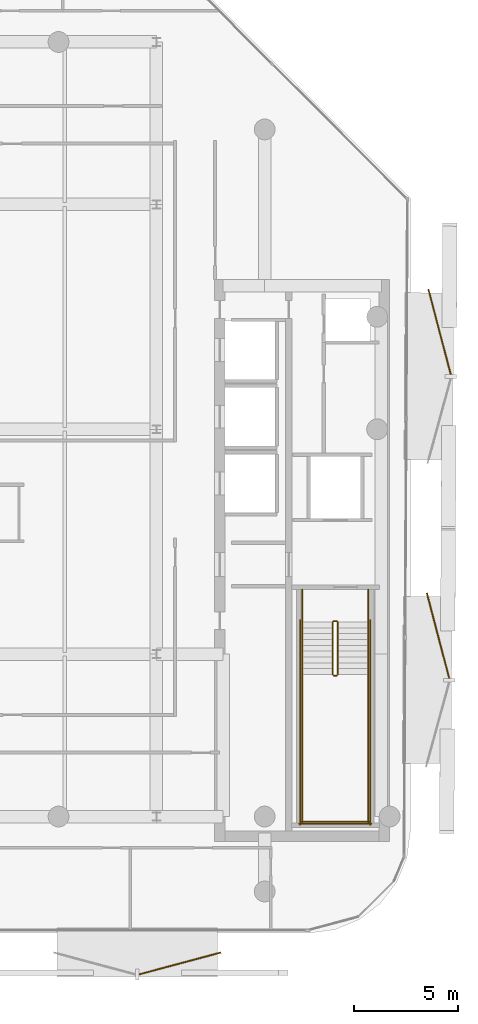
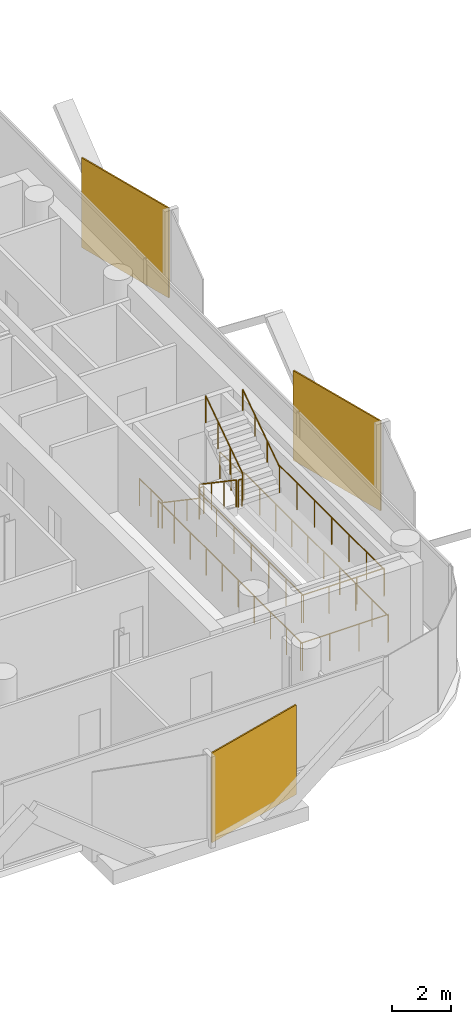
# One storey, part 15 of 16: 14 railings, 3 coverings.
"""IFC4 building model written with IfcOpenShell, lengths in metres."""

import ifcopenshell
import ifcopenshell.guid

model = None  # the IFC model being written
_history = None  # IfcOwnerHistory: only IFC2X3 demands one
_inside = {}  # id of a spatial element -> (the spatial element, [elements in it])
_under = {}  # id of a project, library or spatial element -> (it, [spatial elements below it])
_declared = {}  # id of a project -> (the project, [libraries it declares])
_typed = {}  # id of a type object -> (the type object, [elements of that type])
_made_of = {}  # id of a material, layer set ... -> (it, [elements and type objects made of it])


def new_model(schema):
    """Start an empty IFC model of exactly this schema.

    Asked for "IFC4X3", IfcOpenShell would pick the latest addendum, in which some entities
    have other attributes; the version numbers below select the first issue.
    IFC2X3 requires an IfcOwnerHistory on every rooted entity: one is made here for all.
    """
    global model, _history
    if schema == "IFC4X3":
        model = ifcopenshell.file(schema_version=(4, 3, 0, 0))
    else:
        model = ifcopenshell.file(schema=schema)
    _inside.clear()
    _under.clear()
    _declared.clear()
    _typed.clear()
    _made_of.clear()
    _history = None
    if model.schema == "IFC2X3":
        org = make("IfcOrganization", Name="unknown")
        user = make(
            "IfcPersonAndOrganization",
            ThePerson=make("IfcPerson", FamilyName="unknown"),
            TheOrganization=org,
        )
        app = make(
            "IfcApplication",
            ApplicationDeveloper=org,
            Version="unknown",
            ApplicationFullName="unknown",
            ApplicationIdentifier="unknown",
        )
        _history = make(
            "IfcOwnerHistory",
            OwningUser=user,
            OwningApplication=app,
            ChangeAction="ADDED",
            CreationDate=0,
        )
    return model


def make(cls, **values):
    """One entity of the class cls with the attributes given. An attribute that is None is left unset."""
    return model.create_entity(
        cls, **{name: value for name, value in values.items() if value is not None}
    )


def rooted(cls, **values):
    """An entity with a GlobalId (a new one), such as an element, a storey or a relation."""
    return make(cls, GlobalId=ifcopenshell.guid.new(), OwnerHistory=_history, **values)


def si_unit(unit_type, name, prefix=None):
    """IfcSIUnit, for example si_unit("LENGTHUNIT", "METRE", prefix="MILLI")."""
    return make("IfcSIUnit", UnitType=unit_type, Prefix=prefix, Name=name)


def assignment(units):
    """IfcUnitAssignment: the units of a project."""
    return None if units is None else make("IfcUnitAssignment", Units=units)


def point(xyz):
    """IfcCartesianPoint."""
    return None if xyz is None else make("IfcCartesianPoint", Coordinates=xyz)


def direction(xyz):
    """IfcDirection."""
    return None if xyz is None else make("IfcDirection", DirectionRatios=xyz)


def frame(location, z_axis=None, x_axis=None):
    """IfcAxis2Placement3D, a coordinate frame: its origin and axes. An axis left out is left unset."""
    return make(
        "IfcAxis2Placement3D",
        Location=point(location),
        Axis=direction(z_axis),
        RefDirection=direction(x_axis),
    )


def frame_2d(location, x_axis=None):
    """IfcAxis2Placement2D, a coordinate frame in the plane: its origin and x axis."""
    return make(
        "IfcAxis2Placement2D", Location=point(location), RefDirection=direction(x_axis)
    )


def origin():
    """The frame at (0, 0, 0) with its axes left unset."""
    return frame((0.0, 0.0, 0.0))


def origin_2d():
    """The frame at (0, 0) in the plane with its x axis left unset."""
    return frame_2d((0.0, 0.0))


def place(relative_to, where):
    """IfcLocalPlacement: puts the frame where relative to a parent placement (None: the world)."""
    return make(
        "IfcLocalPlacement", PlacementRelTo=relative_to, RelativePlacement=where
    )


def context(
    kind, dimensions, precision=None, world=None, true_north=None, identifier=None
):
    """IfcGeometricRepresentationContext, for example the 3D "Model" context."""
    return make(
        "IfcGeometricRepresentationContext",
        ContextIdentifier=identifier,
        ContextType=kind,
        CoordinateSpaceDimension=dimensions,
        Precision=precision,
        WorldCoordinateSystem=world,
        TrueNorth=true_north,
    )


def subcontext(parent, identifier, kind, view, scale=None):
    """IfcGeometricRepresentationSubContext, for example "Body" below "Model"."""
    return make(
        "IfcGeometricRepresentationSubContext",
        ContextIdentifier=identifier,
        ContextType=kind,
        ParentContext=parent,
        TargetScale=scale,
        TargetView=view,
    )


def project(units=None, contexts=None):
    """IfcProject with its units and contexts."""
    return rooted(
        "IfcProject",
        Name="project",
        RepresentationContexts=contexts,
        UnitsInContext=assignment(units),
    )


def spatial(cls, under=None, at=None, **own):
    """A site, building, storey or space (cls), placed at a placement, below another one or the project."""
    s = rooted(cls, ObjectPlacement=at, **own)
    if under is not None:
        _under.setdefault(under.id(), (under, []))[1].append(s)
    return s


def profile(cls, at=None, kind="AREA", **sizes):
    """A parametric profile (cls). Its sizes go by their IFC names, for example OverallWidth=200.0."""
    return make(cls, ProfileType=kind, Position=at, **sizes)


def rectangle(**sizes):
    """IfcRectangleProfileDef."""
    return profile("IfcRectangleProfileDef", **sizes)


def circle(**sizes):
    """IfcCircleProfileDef."""
    return profile("IfcCircleProfileDef", **sizes)


def extrude(swept, where, along, depth):
    """IfcExtrudedAreaSolid: the profile swept, set in the frame where, extruded along a direction by depth."""
    return make(
        "IfcExtrudedAreaSolid",
        SweptArea=swept,
        Position=where,
        ExtrudedDirection=direction(along),
        Depth=depth,
    )


def shape(context_of_items, identifier, shape_type, items):
    """IfcShapeRepresentation: the items that make up one representation, for example the "Body"."""
    return make(
        "IfcShapeRepresentation",
        ContextOfItems=context_of_items,
        RepresentationIdentifier=identifier,
        RepresentationType=shape_type,
        Items=items,
    )


def material(Name=None, Category=None):
    """IfcMaterial."""
    return make("IfcMaterial", Name=Name, Category=Category)


def layer(
    of_material, thickness, ventilated=None, Name=None, Category=None, Priority=None
):
    """IfcMaterialLayer: one layer of a wall or slab, of a material (None: an air gap)."""
    return make(
        "IfcMaterialLayer",
        Material=of_material,
        LayerThickness=thickness,
        IsVentilated=ventilated,
        Name=Name,
        Category=Category,
        Priority=Priority,
    )


def layer_set(layers, Name=None):
    """IfcMaterialLayerSet."""
    return make("IfcMaterialLayerSet", MaterialLayers=layers, LayerSetName=Name)


def made_of(thing, what):
    """Note that an element or type object is made of a material, layer set ...; save() writes the relation."""
    if what is not None:
        _made_of.setdefault(what.id(), (what, []))[1].append(thing)
    return thing


def type_object(cls, material=None, **own):
    """A type object (cls), such as IfcWallType, which elements share."""
    return made_of(rooted(cls, **own), material)


def element(
    cls,
    number,
    at=None,
    inside=None,
    cuts=None,
    type_object=None,
    material=None,
    context=None,
    identifier="Body",
    shape_type=None,
    held_by="IfcProductDefinitionShape",
    body=None,
    shapes=None,
    **own,
):
    """One element of the class cls, such as IfcWall. Its Tag is "e" and its number.

    at: its placement. inside: the storey or other place that contains it. cuts: it is an
    opening in that element (IfcRelVoidsElement). A single representation is given by context,
    identifier, shape_type and body (its items); several are given by shapes. held_by: the class
    of the entity that holds the representations. save() writes the other relations.
    """
    e = rooted(cls, Tag="e%d" % number, ObjectPlacement=at, **own)
    if body is not None:
        shapes = [shape(context, identifier, shape_type, body)]
    if shapes is not None:
        e.Representation = make(held_by, Representations=shapes)
    if inside is not None:
        _inside.setdefault(inside.id(), (inside, []))[1].append(e)
    if cuts is not None:
        rooted(
            "IfcRelVoidsElement", RelatingBuildingElement=cuts, RelatedOpeningElement=e
        )
    if type_object is not None:
        _typed.setdefault(type_object.id(), (type_object, []))[1].append(e)
    return made_of(e, material)


def aggregate(whole, parts):
    """IfcRelAggregates: a whole, such as a stair, and the parts it consists of."""
    return rooted("IfcRelAggregates", RelatingObject=whole, RelatedObjects=parts)


def save(model, path):
    """Write the relations noted so far, then the file.

    IfcRelAggregates (storeys below a building ...), IfcRelContainedInSpatialStructure (elements
    in a storey), IfcRelDefinesByType, IfcRelAssociatesMaterial and IfcRelDeclares: one each for
    every whole, place, type object, material and project.
    """
    for whole, parts in _under.values():
        aggregate(whole, parts)
    for where, things in _inside.values():
        rooted(
            "IfcRelContainedInSpatialStructure",
            RelatedElements=things,
            RelatingStructure=where,
        )
    for kind, things in _typed.values():
        rooted("IfcRelDefinesByType", RelatedObjects=things, RelatingType=kind)
    for what, things in _made_of.values():
        rooted("IfcRelAssociatesMaterial", RelatedObjects=things, RelatingMaterial=what)
    for by, libraries in _declared.values():
        rooted("IfcRelDeclares", RelatingContext=by, RelatedDefinitions=libraries)
    model.write(path)


model = new_model("IFC4")

# Units and contexts
model_context = context("Model", 3, precision=1e-05, world=origin(), true_north=direction((0.0, 1.0)))
body_context = subcontext(model_context, "Body", "Model", "MODEL_VIEW")
ifc_project = project(units=[si_unit("LENGTHUNIT", "METRE"), si_unit("AREAUNIT", "SQUARE_METRE"), si_unit("VOLUMEUNIT", "CUBIC_METRE"), si_unit("PLANEANGLEUNIT", "RADIAN"), si_unit("MASSUNIT", "GRAM", prefix="KILO")], contexts=[model_context])

# Site, building, storey
site_placement = place(None, origin())
site = spatial("IfcSite", under=ifc_project, at=site_placement, CompositionType="ELEMENT")
building_placement = place(site_placement, origin())
building = spatial("IfcBuilding", under=site, at=building_placement, Name="Khairoan Windgate Tower", CompositionType="ELEMENT")
storey_placement = place(building_placement, frame((0.0, 0.0, 296.60009765625)))
storey = spatial("IfcBuildingStorey", under=building, at=storey_placement, Name="L71", CompositionType="ELEMENT", Elevation=296.60009765625)

# Coverings
ifc_material_1 = material(Name="Anodised Bronze Aluminium 6063-T6", Category="aluminium")
ifc_layer = layer(ifc_material_1, 0.054931640625, Name="Anodised Bronze Aluminium 6063-T6")
ifc_layer_set = layer_set([ifc_layer], Name="Anodised Bronze Aluminium 6063-T6")
covering_type = type_object("IfcCoveringType", Name="Perforated Bronze-Ceramic Folded Solar Screen Cladding BSC-1", PredefinedType="CLADDING", material=ifc_layer_set)
covering_placement = place(storey_placement, frame((10.335693359375, -25.654052734375, -0.10009765625), z_axis=(0.0, 0.0, 1.0), x_axis=(-0.965925826289, -0.258819045103, 0.0)))
element("IfcCovering", 1, at=covering_placement, inside=storey, type_object=covering_type, Name="L71 Folded Bronze Solar Screen Facet 494L", PredefinedType="CLADDING", context=body_context, shape_type="SweptSolid", body=[
    extrude(rectangle(XDim=4.06494140625, YDim=0.054931640625, at=origin_2d()), origin(), (0.0, 0.0, 1.0), 3.739990234375),
])
for number, where, z_axis, x_axis, name in (
    (2, (22.7998046875, 4.67333984375, -0.10009765625), (0.0, 0.0, 1.0), (0.253757944585, -0.967267752776, 0.0), "L71 Folded Bronze Solar Screen Facet 500L"),
    (3, (22.72412109375, -9.91357421875, -0.10009765625), (0.0, 0.0, 1.0), (0.253757944585, -0.967267752776, 0.0), "L71 Folded Bronze Solar Screen Facet 501L"),
):
    element("IfcCovering", number, at=place(storey_placement, frame(where, z_axis=z_axis, x_axis=x_axis)), inside=storey, type_object=covering_type, Name=name, PredefinedType="CLADDING", context=body_context, shape_type="SweptSolid", body=[
        extrude(rectangle(XDim=4.22998046875, YDim=0.054931640625, at=origin_2d()), origin(), (0.0, 0.0, 1.0), 3.739990234375),
    ])

# Railings
ifc_material_2 = material(Name="Anodised Bronze Aluminium 6063-T6", Category="aluminium")
railing_type_1 = type_object("IfcRailingType", Name="Stair Wall Handrail SHR-900", PredefinedType="HANDRAIL", material=ifc_material_2)
railing_1_placement = place(storey_placement, frame((16.199951171875, -9.260009765625, 0.18994140625)))
element("IfcRailing", 4, at=railing_1_placement, inside=storey, type_object=railing_type_1, Name="L71 ST1 stair handrail 1", PredefinedType="HANDRAIL", context=body_context, shape_type="SweptSolid", body=[
    extrude(circle(Radius=0.02392578125, at=origin_2d()), frame((0.0, 0.0, 0.8759765625), z_axis=(0.0, -0.827483756001, 0.561489655786), x_axis=(1.0, 0.0, 0.0)), (0.0, 0.0, 1.0), 3.04541015625),
    extrude(circle(Radius=0.02099609375, at=origin_2d()), origin(), (0.0, 0.0, 1.0), 0.851806640625),
    extrude(circle(Radius=0.02099609375, at=origin_2d()), frame((0.0, -0.840087890625, 0.570068359375)), (0.0, 0.0, 1.0), 0.851806640625),
    extrude(circle(Radius=0.02099609375, at=origin_2d()), frame((0.0, -1.679931640625, 1.139892578125)), (0.0, 0.0, 1.0), 0.851806640625),
    extrude(circle(Radius=0.02099609375, at=origin_2d()), frame((0.0, -2.52001953125, 1.7099609375)), (0.0, 0.0, 1.0), 0.851806640625),
])
railing_2_placement = place(storey_placement, frame((19.3701171875, -11.780029296875, 2.08984375)))
element("IfcRailing", 5, at=railing_2_placement, inside=storey, type_object=railing_type_1, Name="L71 ST1 stair handrail 2", PredefinedType="HANDRAIL", context=body_context, shape_type="SweptSolid", body=[
    extrude(circle(Radius=0.02392578125, at=origin_2d()), frame((0.0, 0.0, 0.8759765625), z_axis=(0.0, 0.827483756001, 0.561489655786), x_axis=(-1.0, 0.0, 0.0)), (0.0, 0.0, 1.0), 3.04541015625),
    extrude(circle(Radius=0.02099609375, at=origin_2d()), origin(), (0.0, 0.0, 1.0), 0.851806640625),
    extrude(circle(Radius=0.02099609375, at=origin_2d()), frame((0.0, 0.840087890625, 0.570068359375)), (0.0, 0.0, 1.0), 0.851806640625),
    extrude(circle(Radius=0.02099609375, at=origin_2d()), frame((0.0, 1.679931640625, 1.139892578125)), (0.0, 0.0, 1.0), 0.851806640625),
    extrude(circle(Radius=0.02099609375, at=origin_2d()), frame((0.0, 2.52001953125, 1.7099609375)), (0.0, 0.0, 1.0), 0.851806640625),
])
ifc_material_3 = material(Name="Steel S355", Category="steel")
railing_type_2 = type_object("IfcRailingType", Name="Stairwell Safety Guardrail SGR-1150", PredefinedType="GUARDRAIL", material=ifc_material_3)
railing_3_placement = place(storey_placement, frame((17.659912109375, -9.260009765625, 0.18994140625)))
element("IfcRailing", 6, at=railing_3_placement, inside=storey, type_object=railing_type_2, Name="L71 ST1 stair guard 1", PredefinedType="GUARDRAIL", context=body_context, shape_type="SweptSolid", body=[
    extrude(circle(Radius=0.02392578125, at=origin_2d()), frame((0.0, 0.0, 1.1259765625), z_axis=(0.0, -0.827483756001, 0.561489655786), x_axis=(1.0, 0.0, 0.0)), (0.0, 0.0, 1.0), 3.04541015625),
    extrude(circle(Radius=0.02099609375, at=origin_2d()), origin(), (0.0, 0.0, 1.0), 1.101806640625),
    extrude(circle(Radius=0.02099609375, at=origin_2d()), frame((0.0, -0.840087890625, 0.570068359375)), (0.0, 0.0, 1.0), 1.101806640625),
    extrude(circle(Radius=0.02099609375, at=origin_2d()), frame((0.0, -1.679931640625, 1.139892578125)), (0.0, 0.0, 1.0), 1.101806640625),
    extrude(circle(Radius=0.02099609375, at=origin_2d()), frame((0.0, -2.52001953125, 1.7099609375)), (0.0, 0.0, 1.0), 1.101806640625),
])
railing_4_placement = place(storey_placement, frame((17.7099609375, -11.830078125, 1.89990234375)))
element("IfcRailing", 7, at=railing_4_placement, inside=storey, type_object=railing_type_2, Name="L71 ST1 stair guard 2", PredefinedType="GUARDRAIL", context=body_context, shape_type="SweptSolid", body=[
    extrude(circle(Radius=0.02392578125, at=origin_2d()), frame((0.0, 0.0, 1.1259765625), z_axis=(1.0, 0.0, 0.0), x_axis=(0.0, 1.0, 0.0)), (0.0, 0.0, 1.0), 0.150146484375),
    extrude(circle(Radius=0.02099609375, at=origin_2d()), origin(), (0.0, 0.0, 1.0), 1.101806640625),
    extrude(circle(Radius=0.02099609375, at=origin_2d()), frame((0.150146484375, 0.0, 0.0)), (0.0, 0.0, 1.0), 1.101806640625),
])
for number, where, name in (
    (8, (16.199951171875, -11.780029296875, 1.89990234375), "L71 ST1 stair guard 3"),
    (9, (19.3701171875, -11.780029296875, 1.89990234375), "L71 ST1 stair guard 4"),
):
    element("IfcRailing", number, at=place(storey_placement, frame(where)), inside=storey, type_object=railing_type_2, Name=name, PredefinedType="GUARDRAIL", context=body_context, shape_type="SweptSolid", body=[
        extrude(circle(Radius=0.02392578125, at=origin_2d()), frame((0.0, 0.0, 1.1259765625), z_axis=(0.0, -1.0, 0.0), x_axis=(1.0, 0.0, 0.0)), (0.0, 0.0, 1.0), 7.119873046875),
        extrude(circle(Radius=0.02099609375, at=origin_2d()), origin(), (0.0, 0.0, 1.0), 1.101806640625),
        extrude(circle(Radius=0.02099609375, at=origin_2d()), frame((0.0, -1.1865234375, 0.0)), (0.0, 0.0, 1.0), 1.101806640625),
        extrude(circle(Radius=0.02099609375, at=origin_2d()), frame((0.0, -2.373291015625, 0.0)), (0.0, 0.0, 1.0), 1.101806640625),
        extrude(circle(Radius=0.02099609375, at=origin_2d()), frame((0.0, -3.56005859375, 0.0)), (0.0, 0.0, 1.0), 1.101806640625),
        extrude(circle(Radius=0.02099609375, at=origin_2d()), frame((0.0, -4.74658203125, 0.0)), (0.0, 0.0, 1.0), 1.101806640625),
        extrude(circle(Radius=0.02099609375, at=origin_2d()), frame((0.0, -5.93310546875, 0.0)), (0.0, 0.0, 1.0), 1.101806640625),
        extrude(circle(Radius=0.02099609375, at=origin_2d()), frame((0.0, -7.119873046875, 0.0)), (0.0, 0.0, 1.0), 1.101806640625),
    ])
railing_5_placement = place(storey_placement, frame((16.14990234375, -18.85009765625, 1.89990234375)))
element("IfcRailing", 10, at=railing_5_placement, inside=storey, type_object=railing_type_2, Name="L71 ST1 stair guard 5", PredefinedType="GUARDRAIL", context=body_context, shape_type="SweptSolid", body=[
    extrude(circle(Radius=0.02392578125, at=origin_2d()), frame((0.0, 0.0, 1.1259765625), z_axis=(1.0, 0.0, 0.0), x_axis=(0.0, 1.0, 0.0)), (0.0, 0.0, 1.0), 3.27001953125),
    extrude(circle(Radius=0.02099609375, at=origin_2d()), origin(), (0.0, 0.0, 1.0), 1.101806640625),
    extrude(circle(Radius=0.02099609375, at=origin_2d()), frame((1.090087890625, 0.0, 0.0)), (0.0, 0.0, 1.0), 1.101806640625),
    extrude(circle(Radius=0.02099609375, at=origin_2d()), frame((2.179931640625, 0.0, 0.0)), (0.0, 0.0, 1.0), 1.101806640625),
    extrude(circle(Radius=0.02099609375, at=origin_2d()), frame((3.27001953125, 0.0, 0.0)), (0.0, 0.0, 1.0), 1.101806640625),
])
railing_6_placement = place(storey_placement, frame((17.909912109375, -11.780029296875, 2.08984375)))
element("IfcRailing", 11, at=railing_6_placement, inside=storey, type_object=railing_type_2, Name="L71 ST1 stair guard 6", PredefinedType="GUARDRAIL", context=body_context, shape_type="SweptSolid", body=[
    extrude(circle(Radius=0.02392578125, at=origin_2d()), frame((0.0, 0.0, 1.1259765625), z_axis=(0.0, 0.827483756001, 0.561489655786), x_axis=(-1.0, 0.0, 0.0)), (0.0, 0.0, 1.0), 3.04541015625),
    extrude(circle(Radius=0.02099609375, at=origin_2d()), origin(), (0.0, 0.0, 1.0), 1.101806640625),
    extrude(circle(Radius=0.02099609375, at=origin_2d()), frame((0.0, 0.840087890625, 0.570068359375)), (0.0, 0.0, 1.0), 1.101806640625),
    extrude(circle(Radius=0.02099609375, at=origin_2d()), frame((0.0, 1.679931640625, 1.139892578125)), (0.0, 0.0, 1.0), 1.101806640625),
    extrude(circle(Radius=0.02099609375, at=origin_2d()), frame((0.0, 2.52001953125, 1.7099609375)), (0.0, 0.0, 1.0), 1.101806640625),
])
railing_7_placement = place(storey_placement, frame((17.7099609375, -9.2099609375, 0.0)))
element("IfcRailing", 12, at=railing_7_placement, inside=storey, type_object=railing_type_2, Name="L71 ST1 stair guard 7", PredefinedType="GUARDRAIL", context=body_context, shape_type="SweptSolid", body=[
    extrude(circle(Radius=0.02392578125, at=origin_2d()), frame((0.0, 0.0, 1.1259765625), z_axis=(1.0, 0.0, 0.0), x_axis=(0.0, 1.0, 0.0)), (0.0, 0.0, 1.0), 0.150146484375),
    extrude(circle(Radius=0.02099609375, at=origin_2d()), origin(), (0.0, 0.0, 1.0), 1.101806640625),
    extrude(circle(Radius=0.02099609375, at=origin_2d()), frame((0.150146484375, 0.0, 0.0)), (0.0, 0.0, 1.0), 1.101806640625),
])
for number, where, name in (
    (13, (16.199951171875, -7.699951171875, 0.0), "L71 ST1 stair guard 8"),
    (14, (19.3701171875, -7.699951171875, 0.0), "L71 ST1 stair guard 9"),
):
    element("IfcRailing", number, at=place(storey_placement, frame(where)), inside=storey, type_object=railing_type_2, Name=name, PredefinedType="GUARDRAIL", context=body_context, shape_type="SweptSolid", body=[
        extrude(circle(Radius=0.02392578125, at=origin_2d()), frame((0.0, 0.0, 1.1259765625), z_axis=(0.0, -1.0, 0.0), x_axis=(1.0, 0.0, 0.0)), (0.0, 0.0, 1.0), 1.56005859375),
        extrude(circle(Radius=0.02099609375, at=origin_2d()), origin(), (0.0, 0.0, 1.0), 1.101806640625),
        extrude(circle(Radius=0.02099609375, at=origin_2d()), frame((0.0, -0.780029296875, 0.0)), (0.0, 0.0, 1.0), 1.101806640625),
        extrude(circle(Radius=0.02099609375, at=origin_2d()), frame((0.0, -1.56005859375, 0.0)), (0.0, 0.0, 1.0), 1.101806640625),
    ])
for number, where, name in (
    (15, (16.10009765625, -9.159912109375, 0.0), "L71 ST1 stair guard 10"),
    (16, (19.469970703125, -9.159912109375, 0.0), "L71 ST1 stair guard 11"),
):
    element("IfcRailing", number, at=place(storey_placement, frame(where)), inside=storey, type_object=railing_type_2, Name=name, PredefinedType="GUARDRAIL", context=body_context, shape_type="SweptSolid", body=[
        extrude(circle(Radius=0.02392578125, at=origin_2d()), frame((0.0, 0.0, 1.1259765625), z_axis=(0.0, -1.0, 0.0), x_axis=(1.0, 0.0, 0.0)), (0.0, 0.0, 1.0), 9.840087890625),
        extrude(circle(Radius=0.02099609375, at=origin_2d()), origin(), (0.0, 0.0, 1.0), 1.101806640625),
        extrude(circle(Radius=0.02099609375, at=origin_2d()), frame((0.0, -1.09326171875, 0.0)), (0.0, 0.0, 1.0), 1.101806640625),
        extrude(circle(Radius=0.02099609375, at=origin_2d()), frame((0.0, -2.186767578125, 0.0)), (0.0, 0.0, 1.0), 1.101806640625),
        extrude(circle(Radius=0.02099609375, at=origin_2d()), frame((0.0, -3.280029296875, 0.0)), (0.0, 0.0, 1.0), 1.101806640625),
        extrude(circle(Radius=0.02099609375, at=origin_2d()), frame((0.0, -4.373291015625, 0.0)), (0.0, 0.0, 1.0), 1.101806640625),
        extrude(circle(Radius=0.02099609375, at=origin_2d()), frame((0.0, -5.466796875, 0.0)), (0.0, 0.0, 1.0), 1.101806640625),
        extrude(circle(Radius=0.02099609375, at=origin_2d()), frame((0.0, -6.56005859375, 0.0)), (0.0, 0.0, 1.0), 1.101806640625),
        extrude(circle(Radius=0.02099609375, at=origin_2d()), frame((0.0, -7.6533203125, 0.0)), (0.0, 0.0, 1.0), 1.101806640625),
        extrude(circle(Radius=0.02099609375, at=origin_2d()), frame((0.0, -8.746826171875, 0.0)), (0.0, 0.0, 1.0), 1.101806640625),
        extrude(circle(Radius=0.02099609375, at=origin_2d()), frame((0.0, -9.840087890625, 0.0)), (0.0, 0.0, 1.0), 1.101806640625),
    ])
railing_8_placement = place(storey_placement, frame((16.050048828125, -18.949951171875, 0.0)))
element("IfcRailing", 17, at=railing_8_placement, inside=storey, type_object=railing_type_2, Name="L71 ST1 stair guard 12", PredefinedType="GUARDRAIL", context=body_context, shape_type="SweptSolid", body=[
    extrude(circle(Radius=0.02392578125, at=origin_2d()), frame((0.0, 0.0, 1.1259765625), z_axis=(1.0, 0.0, 0.0), x_axis=(0.0, 1.0, 0.0)), (0.0, 0.0, 1.0), 3.469970703125),
    extrude(circle(Radius=0.02099609375, at=origin_2d()), origin(), (0.0, 0.0, 1.0), 1.101806640625),
    extrude(circle(Radius=0.02099609375, at=origin_2d()), frame((1.15673828125, 0.0, 0.0)), (0.0, 0.0, 1.0), 1.101806640625),
    extrude(circle(Radius=0.02099609375, at=origin_2d()), frame((2.313232421875, 0.0, 0.0)), (0.0, 0.0, 1.0), 1.101806640625),
    extrude(circle(Radius=0.02099609375, at=origin_2d()), frame((3.469970703125, 0.0, 0.0)), (0.0, 0.0, 1.0), 1.101806640625),
])

save(model, "model.ifc")
